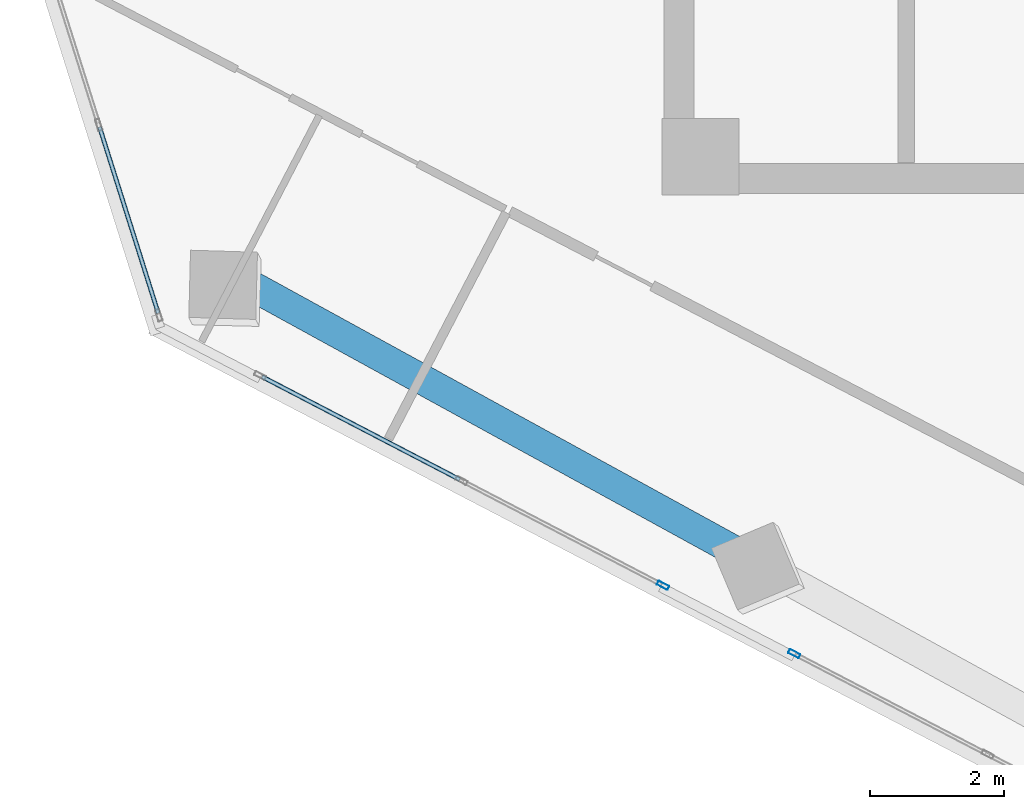
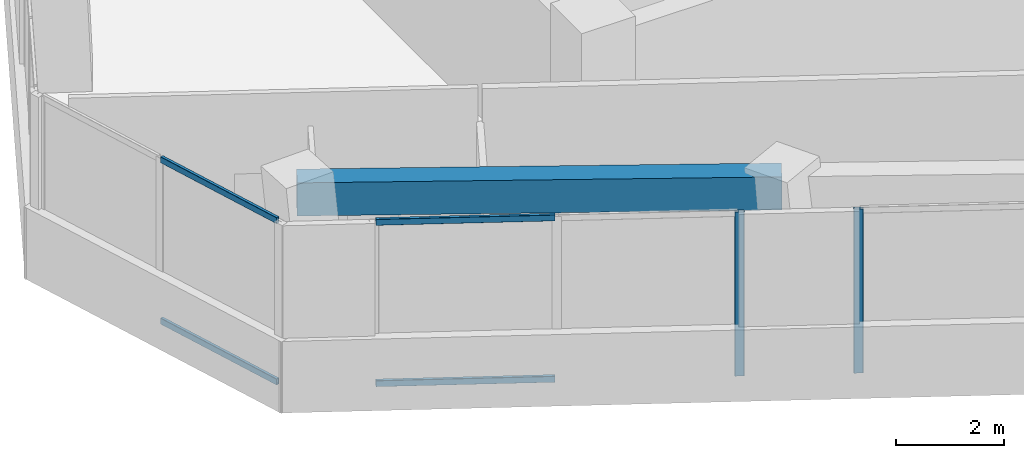
# One storey, part 3 of 22: 6 members, 1 beam, 3 elements without a shape of their own.
"""IFC4 building model written with IfcOpenShell, lengths in metres."""

import ifcopenshell
import ifcopenshell.guid

model = None  # the IFC model being written
_history = None  # IfcOwnerHistory: only IFC2X3 demands one
_inside = {}  # id of a spatial element -> (the spatial element, [elements in it])
_under = {}  # id of a project, library or spatial element -> (it, [spatial elements below it])
_declared = {}  # id of a project -> (the project, [libraries it declares])
_typed = {}  # id of a type object -> (the type object, [elements of that type])
_made_of = {}  # id of a material, layer set ... -> (it, [elements and type objects made of it])


def new_model(schema):
    """Start an empty IFC model of exactly this schema.

    Asked for "IFC4X3", IfcOpenShell would pick the latest addendum, in which some entities
    have other attributes; the version numbers below select the first issue.
    IFC2X3 requires an IfcOwnerHistory on every rooted entity: one is made here for all.
    """
    global model, _history
    if schema == "IFC4X3":
        model = ifcopenshell.file(schema_version=(4, 3, 0, 0))
    else:
        model = ifcopenshell.file(schema=schema)
    _inside.clear()
    _under.clear()
    _declared.clear()
    _typed.clear()
    _made_of.clear()
    _history = None
    if model.schema == "IFC2X3":
        org = make("IfcOrganization", Name="unknown")
        user = make(
            "IfcPersonAndOrganization",
            ThePerson=make("IfcPerson", FamilyName="unknown"),
            TheOrganization=org,
        )
        app = make(
            "IfcApplication",
            ApplicationDeveloper=org,
            Version="unknown",
            ApplicationFullName="unknown",
            ApplicationIdentifier="unknown",
        )
        _history = make(
            "IfcOwnerHistory",
            OwningUser=user,
            OwningApplication=app,
            ChangeAction="ADDED",
            CreationDate=0,
        )
    return model


def make(cls, **values):
    """One entity of the class cls with the attributes given. An attribute that is None is left unset."""
    return model.create_entity(
        cls, **{name: value for name, value in values.items() if value is not None}
    )


def rooted(cls, **values):
    """An entity with a GlobalId (a new one), such as an element, a storey or a relation."""
    return make(cls, GlobalId=ifcopenshell.guid.new(), OwnerHistory=_history, **values)


def si_unit(unit_type, name, prefix=None):
    """IfcSIUnit, for example si_unit("LENGTHUNIT", "METRE", prefix="MILLI")."""
    return make("IfcSIUnit", UnitType=unit_type, Prefix=prefix, Name=name)


def assignment(units):
    """IfcUnitAssignment: the units of a project."""
    return None if units is None else make("IfcUnitAssignment", Units=units)


def point(xyz):
    """IfcCartesianPoint."""
    return None if xyz is None else make("IfcCartesianPoint", Coordinates=xyz)


def direction(xyz):
    """IfcDirection."""
    return None if xyz is None else make("IfcDirection", DirectionRatios=xyz)


def frame(location, z_axis=None, x_axis=None):
    """IfcAxis2Placement3D, a coordinate frame: its origin and axes. An axis left out is left unset."""
    return make(
        "IfcAxis2Placement3D",
        Location=point(location),
        Axis=direction(z_axis),
        RefDirection=direction(x_axis),
    )


def frame_2d(location, x_axis=None):
    """IfcAxis2Placement2D, a coordinate frame in the plane: its origin and x axis."""
    return make(
        "IfcAxis2Placement2D", Location=point(location), RefDirection=direction(x_axis)
    )


def origin():
    """The frame at (0, 0, 0) with its axes left unset."""
    return frame((0.0, 0.0, 0.0))


def origin_2d():
    """The frame at (0, 0) in the plane with its x axis left unset."""
    return frame_2d((0.0, 0.0))


def place(relative_to, where):
    """IfcLocalPlacement: puts the frame where relative to a parent placement (None: the world)."""
    return make(
        "IfcLocalPlacement", PlacementRelTo=relative_to, RelativePlacement=where
    )


def context(
    kind, dimensions, precision=None, world=None, true_north=None, identifier=None
):
    """IfcGeometricRepresentationContext, for example the 3D "Model" context."""
    return make(
        "IfcGeometricRepresentationContext",
        ContextIdentifier=identifier,
        ContextType=kind,
        CoordinateSpaceDimension=dimensions,
        Precision=precision,
        WorldCoordinateSystem=world,
        TrueNorth=true_north,
    )


def subcontext(parent, identifier, kind, view, scale=None):
    """IfcGeometricRepresentationSubContext, for example "Body" below "Model"."""
    return make(
        "IfcGeometricRepresentationSubContext",
        ContextIdentifier=identifier,
        ContextType=kind,
        ParentContext=parent,
        TargetScale=scale,
        TargetView=view,
    )


def project(units=None, contexts=None):
    """IfcProject with its units and contexts."""
    return rooted(
        "IfcProject",
        Name="project",
        RepresentationContexts=contexts,
        UnitsInContext=assignment(units),
    )


def spatial(cls, under=None, at=None, **own):
    """A site, building, storey or space (cls), placed at a placement, below another one or the project."""
    s = rooted(cls, ObjectPlacement=at, **own)
    if under is not None:
        _under.setdefault(under.id(), (under, []))[1].append(s)
    return s


def profile(cls, at=None, kind="AREA", **sizes):
    """A parametric profile (cls). Its sizes go by their IFC names, for example OverallWidth=200.0."""
    return make(cls, ProfileType=kind, Position=at, **sizes)


def rectangle(**sizes):
    """IfcRectangleProfileDef."""
    return profile("IfcRectangleProfileDef", **sizes)


def hollow_rectangle(**sizes):
    """IfcRectangleHollowProfileDef."""
    return profile("IfcRectangleHollowProfileDef", **sizes)


def extrude(swept, where, along, depth):
    """IfcExtrudedAreaSolid: the profile swept, set in the frame where, extruded along a direction by depth."""
    return make(
        "IfcExtrudedAreaSolid",
        SweptArea=swept,
        Position=where,
        ExtrudedDirection=direction(along),
        Depth=depth,
    )


def shape(context_of_items, identifier, shape_type, items):
    """IfcShapeRepresentation: the items that make up one representation, for example the "Body"."""
    return make(
        "IfcShapeRepresentation",
        ContextOfItems=context_of_items,
        RepresentationIdentifier=identifier,
        RepresentationType=shape_type,
        Items=items,
    )


def source(mapping_origin, context_of_items, identifier, shape_type, items):
    """IfcRepresentationMap: a shape defined once, which mapped items show again and again."""
    return make(
        "IfcRepresentationMap",
        MappingOrigin=mapping_origin,
        MappedRepresentation=shape(context_of_items, identifier, shape_type, items),
    )


def transform(
    local_origin,
    x_axis=None,
    y_axis=None,
    z_axis=None,
    scale=None,
    scale2=None,
    scale3=None,
    uniform=True,
):
    """IfcCartesianTransformationOperator3D, or its non-uniform kind. x_axis, y_axis, z_axis: its Axis1, 2, 3."""
    if uniform:
        return make(
            "IfcCartesianTransformationOperator3D",
            Axis1=direction(x_axis),
            Axis2=direction(y_axis),
            LocalOrigin=point(local_origin),
            Scale=scale,
            Axis3=direction(z_axis),
        )
    return make(
        "IfcCartesianTransformationOperator3DnonUniform",
        Axis1=direction(x_axis),
        Axis2=direction(y_axis),
        LocalOrigin=point(local_origin),
        Scale=scale,
        Axis3=direction(z_axis),
        Scale2=scale2,
        Scale3=scale3,
    )


def mapped(mapping_source, mapping_target):
    """IfcMappedItem: shows the shape of a source again, moved by a transform."""
    return make(
        "IfcMappedItem", MappingSource=mapping_source, MappingTarget=mapping_target
    )


def material(Name=None, Category=None):
    """IfcMaterial."""
    return make("IfcMaterial", Name=Name, Category=Category)


def material_profile(
    of_material, cross_section, Name=None, Category=None, Priority=None
):
    """IfcMaterialProfile: a cross section and its material."""
    return make(
        "IfcMaterialProfile",
        Name=Name,
        Material=of_material,
        Profile=cross_section,
        Priority=Priority,
        Category=Category,
    )


def profile_set(profiles, Name=None, composite=None):
    """IfcMaterialProfileSet."""
    return make(
        "IfcMaterialProfileSet",
        Name=Name,
        MaterialProfiles=profiles,
        CompositeProfile=composite,
    )


def made_of(thing, what):
    """Note that an element or type object is made of a material, layer set ...; save() writes the relation."""
    if what is not None:
        _made_of.setdefault(what.id(), (what, []))[1].append(thing)
    return thing


def type_object(cls, material=None, **own):
    """A type object (cls), such as IfcWallType, which elements share."""
    return made_of(rooted(cls, **own), material)


def element(
    cls,
    number,
    at=None,
    inside=None,
    cuts=None,
    type_object=None,
    material=None,
    context=None,
    identifier="Body",
    shape_type=None,
    held_by="IfcProductDefinitionShape",
    body=None,
    shapes=None,
    **own,
):
    """One element of the class cls, such as IfcWall. Its Tag is "e" and its number.

    at: its placement. inside: the storey or other place that contains it. cuts: it is an
    opening in that element (IfcRelVoidsElement). A single representation is given by context,
    identifier, shape_type and body (its items); several are given by shapes. held_by: the class
    of the entity that holds the representations. save() writes the other relations.
    """
    e = rooted(cls, Tag="e%d" % number, ObjectPlacement=at, **own)
    if body is not None:
        shapes = [shape(context, identifier, shape_type, body)]
    if shapes is not None:
        e.Representation = make(held_by, Representations=shapes)
    if inside is not None:
        _inside.setdefault(inside.id(), (inside, []))[1].append(e)
    if cuts is not None:
        rooted(
            "IfcRelVoidsElement", RelatingBuildingElement=cuts, RelatedOpeningElement=e
        )
    if type_object is not None:
        _typed.setdefault(type_object.id(), (type_object, []))[1].append(e)
    return made_of(e, material)


def aggregate(whole, parts):
    """IfcRelAggregates: a whole, such as a stair, and the parts it consists of."""
    return rooted("IfcRelAggregates", RelatingObject=whole, RelatedObjects=parts)


def save(model, path):
    """Write the relations noted so far, then the file.

    IfcRelAggregates (storeys below a building ...), IfcRelContainedInSpatialStructure (elements
    in a storey), IfcRelDefinesByType, IfcRelAssociatesMaterial and IfcRelDeclares: one each for
    every whole, place, type object, material and project.
    """
    for whole, parts in _under.values():
        aggregate(whole, parts)
    for where, things in _inside.values():
        rooted(
            "IfcRelContainedInSpatialStructure",
            RelatedElements=things,
            RelatingStructure=where,
        )
    for kind, things in _typed.values():
        rooted("IfcRelDefinesByType", RelatedObjects=things, RelatingType=kind)
    for what, things in _made_of.values():
        rooted("IfcRelAssociatesMaterial", RelatedObjects=things, RelatingMaterial=what)
    for by, libraries in _declared.values():
        rooted("IfcRelDeclares", RelatingContext=by, RelatedDefinitions=libraries)
    model.write(path)


model = new_model("IFC4")

# Units and contexts
model_context = context("Model", 3, precision=1e-05, world=origin(), true_north=direction((0.0, 1.0)))
body_context = subcontext(model_context, "Body", "Model", "MODEL_VIEW")
ifc_project = project(units=[si_unit("LENGTHUNIT", "METRE"), si_unit("AREAUNIT", "SQUARE_METRE"), si_unit("VOLUMEUNIT", "CUBIC_METRE"), si_unit("PLANEANGLEUNIT", "RADIAN"), si_unit("MASSUNIT", "GRAM", prefix="KILO")], contexts=[model_context])

# Site, building, storey
site_placement = place(None, origin())
site = spatial("IfcSite", under=ifc_project, at=site_placement, CompositionType="ELEMENT")
building_placement = place(site_placement, origin())
building = spatial("IfcBuilding", under=site, at=building_placement, Name="Torre Montelarca", CompositionType="ELEMENT")
storey_placement = place(building_placement, frame((0.0, 0.0, 170.800048828125)))
storey = spatial("IfcBuildingStorey", under=building, at=storey_placement, Name="L38", CompositionType="ELEMENT", Elevation=170.800048828125)

# Beam
ifc_material_1 = material(Name="Concrete C55/67", Category="concrete")
ifc_material_profile_1 = material_profile(ifc_material_1, rectangle(XDim=0.449951171875, YDim=0.75, at=origin_2d()), Name="RCB450X750", Category="concrete")
ifc_profile_set_1 = profile_set([ifc_material_profile_1], Name="Concrete C55/67")
beam_type = type_object("IfcBeamType", Name="BM-SP-RC750-EXT", PredefinedType="SPANDREL", material=ifc_profile_set_1)
shared_shape_1 = source(origin(), body_context, "Body", "SweptSolid", [
    extrude(rectangle(XDim=0.449951171875, YDim=0.75, at=origin_2d()), origin(), (0.0, 0.0, 1.0), 9.0),
])
beam_placement = place(storey_placement, frame((2.267822265625, 22.9326171875, 3.5849609375), z_axis=(0.876730864436, -0.48098127962, 0.0), x_axis=(0.48098127962, 0.876730864436, 0.0)))
element("IfcBeam", 1, at=beam_placement, inside=storey, type_object=beam_type, Name="L38 Grid Girder X 9.0-18.0 at Y=14.8", PredefinedType="SPANDREL", context=body_context, shape_type="MappedRepresentation", body=[
    mapped(shared_shape_1, transform((0.0, 0.0, 0.0), scale=1.0)),
])

# Curtain wall, members
ifc_material_2 = material(Name="Insulated low-E laminated glass", Category="glass")
curtain_wall_type = type_object("IfcCurtainWallType", Name="CW-SYS-Z2", PredefinedType="USERDEFINED", material=ifc_material_2)
curtain_wall_1_placement = place(storey_placement, origin())
curtain_wall_1 = element("IfcCurtainWall", 2, at=curtain_wall_1_placement, inside=storey, type_object=curtain_wall_type, Name="L38 Curtain Wall Run CW-T3-L38-E11-B1", ObjectType="UNITISED GLAZING", PredefinedType="USERDEFINED")
ifc_material_3 = material(Name="Anodised aluminium AA 6063-T6", Category="aluminium")
ifc_material_profile_2 = material_profile(ifc_material_3, hollow_rectangle(XDim=0.06494140625, YDim=0.139892578125, WallThickness=0.00390625, InnerFilletRadius=0.00390625, OuterFilletRadius=0.008056640625, at=origin_2d()), Name="ALU65X140X4", Category="aluminium")
ifc_profile_set_2 = profile_set([ifc_material_profile_2], Name="Anodised aluminium AA 6063-T6")
member_type_1 = type_object("IfcMemberType", Name="CWT-ALU140", PredefinedType="USERDEFINED", material=ifc_profile_set_2)
shared_shape_2 = source(origin(), body_context, "Body", "SweptSolid", [
    extrude(hollow_rectangle(XDim=0.06494140625, YDim=0.139892578125, WallThickness=0.00390625, InnerFilletRadius=0.00390625, OuterFilletRadius=0.008056640625, at=origin_2d()), origin(), (0.0, 0.0, 1.0), 2.91845703125),
])
member_1_placement = place(storey_placement, frame((0.564453125, 24.994140625, 0.032470703125), z_axis=(0.300726990368, -0.953710269036, 0.0), x_axis=(0.953710269036, 0.300726990368, 0.0)))
member_1 = element("IfcMember", 3, at=member_1_placement, type_object=member_type_1, Name="CW transom 2.1", ObjectType="TRANSOM", PredefinedType="USERDEFINED", context=body_context, shape_type="MappedRepresentation", body=[
    mapped(shared_shape_2, transform((0.0, 0.0, 0.0), scale=1.0)),
])
member_2_placement = place(storey_placement, frame((0.564453125, 24.994140625, 3.6875), z_axis=(0.300726990368, -0.953710269036, 0.0), x_axis=(0.953710269036, 0.300726990368, 0.0)))
member_2 = element("IfcMember", 4, at=member_2_placement, type_object=member_type_1, Name="CW transom 2.2", ObjectType="TRANSOM", PredefinedType="USERDEFINED", context=body_context, shape_type="MappedRepresentation", body=[
    mapped(shared_shape_2, transform((0.0, 0.0, 0.0), scale=1.0)),
])
aggregate(curtain_wall_1, [member_1, member_2])

# Curtain wall, member
curtain_wall_2_placement = place(storey_placement, origin())
curtain_wall_2 = element("IfcCurtainWall", 5, at=curtain_wall_2_placement, inside=storey, type_object=curtain_wall_type, Name="L38 Curtain Wall Run CW-T3-L38-E01-B1", ObjectType="UNITISED GLAZING", PredefinedType="USERDEFINED")
ifc_material_profile_3 = material_profile(ifc_material_3, hollow_rectangle(XDim=0.06494140625, YDim=0.179931640625, WallThickness=0.00390625, InnerFilletRadius=0.00390625, OuterFilletRadius=0.008056640625, at=origin_2d()), Name="ALU65X180X4", Category="aluminium")
ifc_profile_set_3 = profile_set([ifc_material_profile_3], Name="Anodised aluminium AA 6063-T6")
member_type_2 = type_object("IfcMemberType", Name="CWM-ALU180", PredefinedType="MULLION", material=ifc_profile_set_3)
shared_shape_3 = source(origin(), body_context, "Body", "SweptSolid", [
    extrude(hollow_rectangle(XDim=0.06494140625, YDim=0.179931640625, WallThickness=0.00390625, InnerFilletRadius=0.00390625, OuterFilletRadius=0.008056640625, at=origin_2d()), origin(), (0.0, 0.0, 1.0), 3.719970703125),
])
member_3_placement = place(storey_placement, frame((8.987548828125, 18.141845703125, 0.0), z_axis=(0.0, 0.0, 1.0), x_axis=(0.461740941758, 0.887014826654, 0.0)))
member_3 = element("IfcMember", 6, at=member_3_placement, type_object=member_type_2, Name="CW mullion 3", PredefinedType="MULLION", context=body_context, shape_type="MappedRepresentation", body=[
    mapped(shared_shape_3, transform((0.0, 0.0, 0.0), scale=1.0)),
])

curtain_wall_3_placement = place(storey_placement, origin())
curtain_wall_3 = element("IfcCurtainWall", 7, at=curtain_wall_3_placement, inside=storey, type_object=curtain_wall_type, Name="L38 Curtain Wall Run CW-T3-L38-E01-B2", ObjectType="UNITISED GLAZING", PredefinedType="USERDEFINED")
member_4_placement = place(storey_placement, frame((10.94970703125, 17.120361328125, 0.0), z_axis=(0.0, 0.0, 1.0), x_axis=(0.461749348455, 0.887010450446, 0.0)))
member_4 = element("IfcMember", 8, at=member_4_placement, type_object=member_type_2, Name="CW mullion 1", PredefinedType="MULLION", context=body_context, shape_type="MappedRepresentation", body=[
    mapped(shared_shape_3, transform((0.0, 0.0, 0.0), scale=1.0)),
])
aggregate(curtain_wall_3, [member_4])

# Member
shared_shape_4 = source(origin(), body_context, "Body", "SweptSolid", [
    extrude(hollow_rectangle(XDim=0.06494140625, YDim=0.139892578125, WallThickness=0.00390625, InnerFilletRadius=0.00390625, OuterFilletRadius=0.008056640625, at=origin_2d()), origin(), (0.0, 0.0, 1.0), 3.3291015625),
])
member_5_placement = place(storey_placement, frame((2.995361328125, 21.260986328125, 0.032470703125), z_axis=(0.887018596995, -0.461733698775, 0.0), x_axis=(0.461733698775, 0.887018596995, 0.0)))
member_5 = element("IfcMember", 9, at=member_5_placement, type_object=member_type_1, Name="CW transom 1.1", ObjectType="TRANSOM", PredefinedType="USERDEFINED", context=body_context, shape_type="MappedRepresentation", body=[
    mapped(shared_shape_4, transform((0.0, 0.0, 0.0), scale=1.0)),
])

member_6_placement = place(storey_placement, frame((2.995361328125, 21.260986328125, 3.6875), z_axis=(0.887018596995, -0.461733698775, 0.0), x_axis=(0.461733698775, 0.887018596995, 0.0)))
member_6 = element("IfcMember", 10, at=member_6_placement, type_object=member_type_1, Name="CW transom 1.2", ObjectType="TRANSOM", PredefinedType="USERDEFINED", context=body_context, shape_type="MappedRepresentation", body=[
    mapped(shared_shape_4, transform((0.0, 0.0, 0.0), scale=1.0)),
])

aggregate(curtain_wall_2, [member_3, member_5, member_6])

save(model, "model.ifc")
